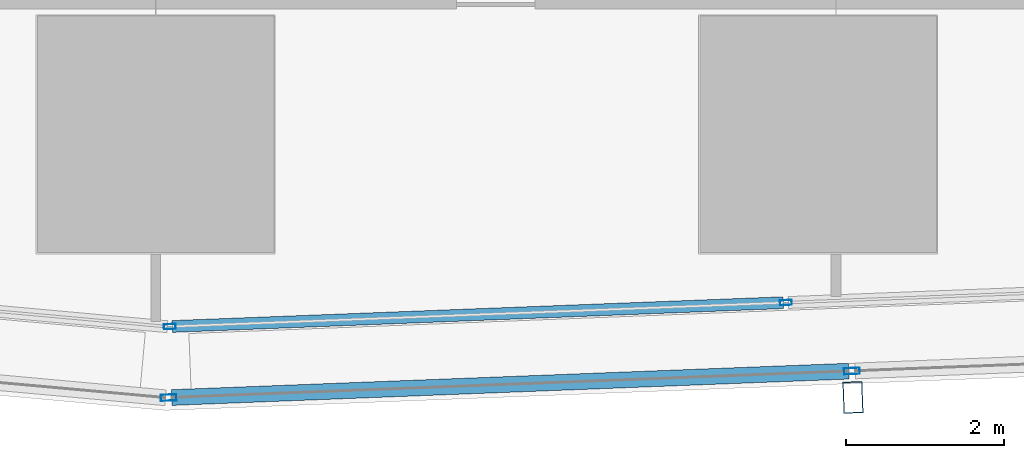
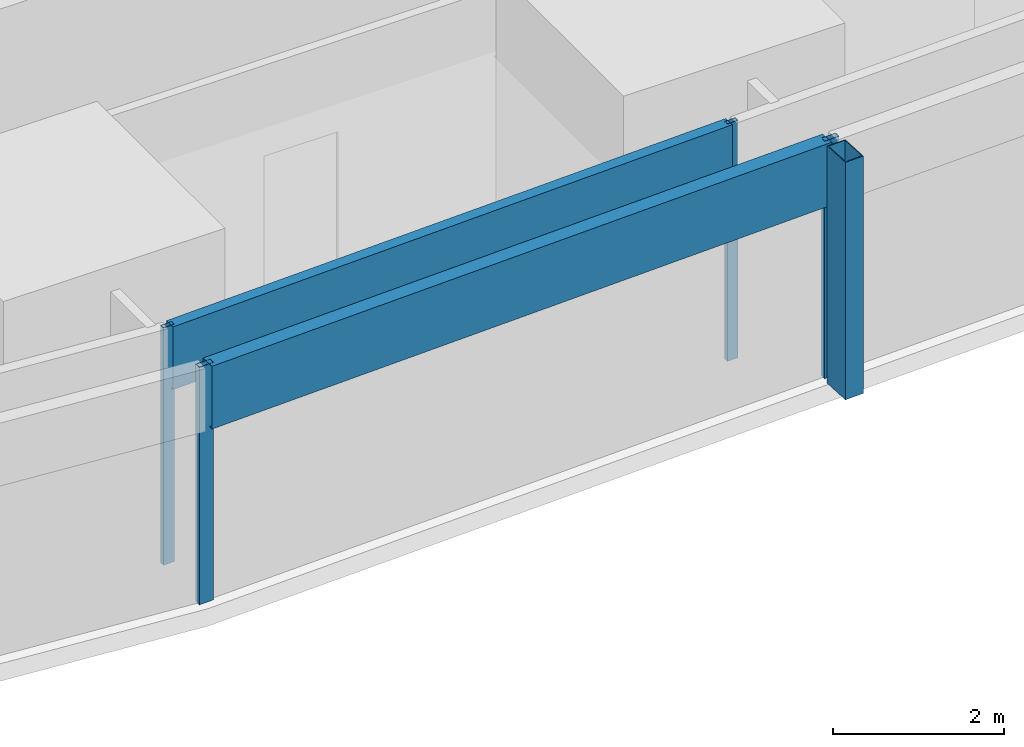
# One storey, part 5 of 38: 7 members, 2 elements without a shape of their own.
"""IFC4 building model written with IfcOpenShell, lengths in metres."""

from ifc_helpers import new_model, si_unit, direction, frame, origin, origin_2d, place, context, subcontext, project, spatial, hollow_rectangle, extrude, material, material_profile, profile_set, type_object, element, aggregate, save


model = new_model("IFC4")

# Units and contexts
model_context = context("Model", 3, precision=1e-05, world=origin(), true_north=direction((0.0, 1.0)))
body_context = subcontext(model_context, "Body", "Model", "MODEL_VIEW")
ifc_project = project(units=[si_unit("LENGTHUNIT", "METRE"), si_unit("AREAUNIT", "SQUARE_METRE"), si_unit("VOLUMEUNIT", "CUBIC_METRE"), si_unit("PLANEANGLEUNIT", "RADIAN"), si_unit("MASSUNIT", "GRAM", prefix="KILO")], contexts=[model_context])

# Site, building, storey
site_placement = place(None, origin())
site = spatial("IfcSite", under=ifc_project, at=site_placement, CompositionType="ELEMENT")
building_placement = place(site_placement, origin())
building = spatial("IfcBuilding", under=site, at=building_placement, Name="Rekha Terrace Tower", CompositionType="ELEMENT")
storey_placement = place(building_placement, frame((0.0, 0.0, 159.050048828125)))
storey = spatial("IfcBuildingStorey", under=building, at=storey_placement, Name="L40", CompositionType="ELEMENT", Elevation=159.050048828125)

# Curtain wall, member
ifc_material_1 = material(Name="Aluminium framing", Category="aluminium")
curtain_wall_type_1 = type_object("IfcCurtainWallType", Name="CW2 double skin outer glazing", PredefinedType="USERDEFINED", material=ifc_material_1)
curtain_wall_1_placement = place(storey_placement, origin())
curtain_wall_1 = element("IfcCurtainWall", 1, at=curtain_wall_1_placement, inside=storey, type_object=curtain_wall_type_1, Name="CW2 double skin outer glazing", ObjectType="DOUBLE SKIN OUTER GLAZING", PredefinedType="USERDEFINED")
ifc_material_2 = material(Name="Steel S355 with fluorocarbon finish", Category="steel")
ifc_material_profile_1 = material_profile(ifc_material_2, hollow_rectangle(XDim=0.25, YDim=0.39990234375, WallThickness=0.012451171875, at=origin_2d()), Name="RHS400x250x12.5")
ifc_profile_set_1 = profile_set([ifc_material_profile_1], Name="Steel S355 with fluorocarbon finish")
member_type_1 = type_object("IfcMemberType", Name="BL1 facade blade RHS 400 x 250", PredefinedType="USERDEFINED", material=ifc_profile_set_1)
member_1_placement = place(storey_placement, frame((34.042236328125, 13.46435546875, 0.0), z_axis=(0.0, 0.0, 1.0), x_axis=(0.999243494356, 0.038890088543, 0.0)))
member_1 = element("IfcMember", 2, at=member_1_placement, type_object=member_type_1, Name="Facade blade", ObjectType="FACADE BLADE", PredefinedType="USERDEFINED", context=body_context, shape_type="SweptSolid", body=[
    extrude(hollow_rectangle(XDim=0.25, YDim=0.39990234375, WallThickness=0.012451171875, at=origin_2d()), origin(), (0.0, 0.0, 1.0), 3.39990234375),
])

# Curtain wall, members
curtain_wall_type_2 = type_object("IfcCurtainWallType", Name="CW1 double skin inner glazing", PredefinedType="USERDEFINED", material=ifc_material_1)
curtain_wall_2_placement = place(storey_placement, origin())
curtain_wall_2 = element("IfcCurtainWall", 3, at=curtain_wall_2_placement, inside=storey, type_object=curtain_wall_type_2, Name="CW1 double skin inner glazing", ObjectType="DOUBLE SKIN INNER GLAZING", PredefinedType="USERDEFINED")
ifc_material_3 = material(Name="Aluminium mullion section", Category="aluminium")
ifc_material_profile_2 = material_profile(ifc_material_3, hollow_rectangle(XDim=0.06494140625, YDim=0.14990234375, WallThickness=0.00390625, at=origin_2d()), Name="AL RHS 65x150")
ifc_profile_set_2 = profile_set([ifc_material_profile_2], Name="Aluminium mullion section")
member_type_2 = type_object("IfcMemberType", Name="CW1 mullion RHS 65 x 150", PredefinedType="MULLION", material=ifc_profile_set_2)
member_2_placement = place(storey_placement, frame((25.3798828125, 14.363037109375, 0.0), z_axis=(0.0, 0.0, 1.0), x_axis=(-0.038889971345, 0.999243498917, 0.0)))
member_2 = element("IfcMember", 4, at=member_2_placement, type_object=member_type_2, Name="CW1 mullion 1", PredefinedType="MULLION", context=body_context, shape_type="SweptSolid", body=[
    extrude(hollow_rectangle(XDim=0.06494140625, YDim=0.14990234375, WallThickness=0.00390625, at=origin_2d()), origin(), (0.0, 0.0, 1.0), 3.39990234375),
])
member_3_placement = place(storey_placement, frame((33.19189453125, 14.667236328125, 0.0), z_axis=(0.0, 0.0, 1.0), x_axis=(-0.038889971345, 0.999243498917, 0.0)))
member_3 = element("IfcMember", 5, at=member_3_placement, type_object=member_type_2, Name="CW1 mullion 2", PredefinedType="MULLION", context=body_context, shape_type="SweptSolid", body=[
    extrude(hollow_rectangle(XDim=0.06494140625, YDim=0.14990234375, WallThickness=0.00390625, at=origin_2d()), origin(), (0.0, 0.0, 1.0), 3.39990234375),
])
ifc_material_4 = material(Name="Insulated aluminium spandrel box", Category="aluminium")
ifc_material_profile_3 = material_profile(ifc_material_4, hollow_rectangle(XDim=0.14990234375, YDim=0.89990234375, WallThickness=0.0029296875, at=origin_2d()), Name="AL SPANDREL BOX 150x900")
ifc_profile_set_3 = profile_set([ifc_material_profile_3], Name="Insulated aluminium spandrel box")
member_type_3 = type_object("IfcMemberType", Name="CW1 spandrel transom 150 x 900", PredefinedType="USERDEFINED", material=ifc_profile_set_3)
member_4_placement = place(storey_placement, frame((25.412353515625, 14.364501953125, 2.949951171875), z_axis=(0.999243487711, 0.038890259275, 0.0), x_axis=(-0.038890259275, 0.999243487711, 0.0)))
member_4 = element("IfcMember", 6, at=member_4_placement, type_object=member_type_3, Name="CW1 spandrel transom 1", ObjectType="TRANSOM", PredefinedType="USERDEFINED", context=body_context, shape_type="SweptSolid", body=[
    extrude(hollow_rectangle(XDim=0.14990234375, YDim=0.89990234375, WallThickness=0.0029296875, at=origin_2d()), origin(), (0.0, 0.0, 1.0), 7.7529296875),
])
aggregate(curtain_wall_2, [member_2, member_3, member_4])

# Member
ifc_material_profile_4 = material_profile(ifc_material_3, hollow_rectangle(XDim=0.080078125, YDim=0.199951171875, WallThickness=0.00390625, at=origin_2d()), Name="AL RHS 80x200")
ifc_profile_set_4 = profile_set([ifc_material_profile_4], Name="Aluminium mullion section")
member_type_4 = type_object("IfcMemberType", Name="CW2 mullion RHS 80 x 200", PredefinedType="MULLION", material=ifc_profile_set_4)
member_5_placement = place(storey_placement, frame((25.364013671875, 13.4619140625, 0.0), z_axis=(0.0, 0.0, 1.0), x_axis=(-0.038889971345, 0.999243498917, 0.0)))
member_5 = element("IfcMember", 7, at=member_5_placement, type_object=member_type_4, Name="CW2 mullion 1", PredefinedType="MULLION", context=body_context, shape_type="SweptSolid", body=[
    extrude(hollow_rectangle(XDim=0.080078125, YDim=0.199951171875, WallThickness=0.00390625, at=origin_2d()), origin(), (0.0, 0.0, 1.0), 3.39990234375),
])

member_6_placement = place(storey_placement, frame((34.029052734375, 13.799072265625, 0.0), z_axis=(0.0, 0.0, 1.0), x_axis=(-0.038889971345, 0.999243498917, 0.0)))
member_6 = element("IfcMember", 8, at=member_6_placement, type_object=member_type_4, Name="CW2 mullion 2", PredefinedType="MULLION", context=body_context, shape_type="SweptSolid", body=[
    extrude(hollow_rectangle(XDim=0.080078125, YDim=0.199951171875, WallThickness=0.00390625, at=origin_2d()), origin(), (0.0, 0.0, 1.0), 3.39990234375),
])

ifc_material_profile_5 = material_profile(ifc_material_4, hollow_rectangle(XDim=0.199951171875, YDim=0.89990234375, WallThickness=0.0029296875, at=origin_2d()), Name="AL SPANDREL BOX 200x900")
ifc_profile_set_5 = profile_set([ifc_material_profile_5], Name="Insulated aluminium spandrel box")
member_type_5 = type_object("IfcMemberType", Name="CW2 spandrel transom 200 x 900", PredefinedType="USERDEFINED", material=ifc_profile_set_5)
member_7_placement = place(storey_placement, frame((25.404052734375, 13.46337890625, 2.949951171875), z_axis=(0.999243058466, 0.038901286707, 0.0), x_axis=(-0.038901286707, 0.999243058466, 0.0)))
member_7 = element("IfcMember", 9, at=member_7_placement, type_object=member_type_5, Name="CW2 spandrel transom 1", ObjectType="TRANSOM", PredefinedType="USERDEFINED", context=body_context, shape_type="SweptSolid", body=[
    extrude(hollow_rectangle(XDim=0.199951171875, YDim=0.89990234375, WallThickness=0.0029296875, at=origin_2d()), origin(), (0.0, 0.0, 1.0), 8.591796875),
])

aggregate(curtain_wall_1, [member_5, member_6, member_7, member_1])

save(model, "model.ifc")
